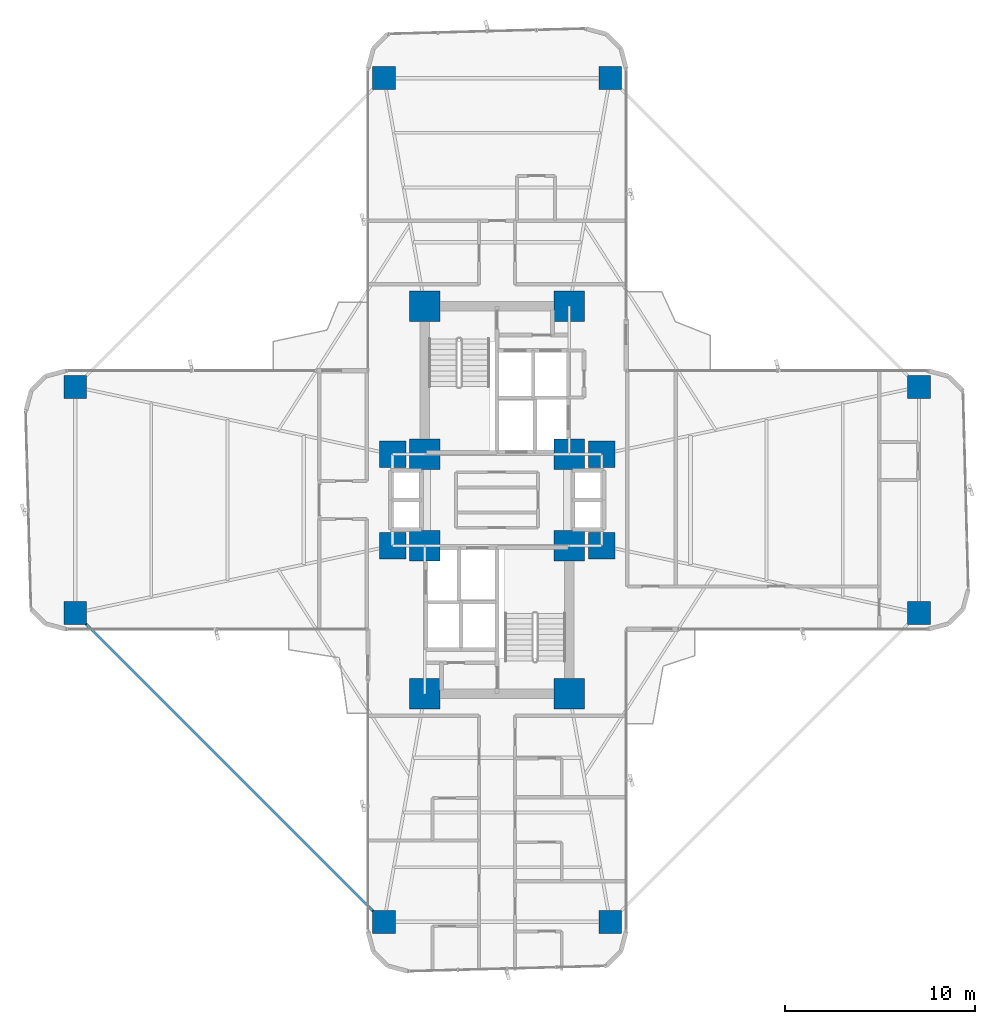
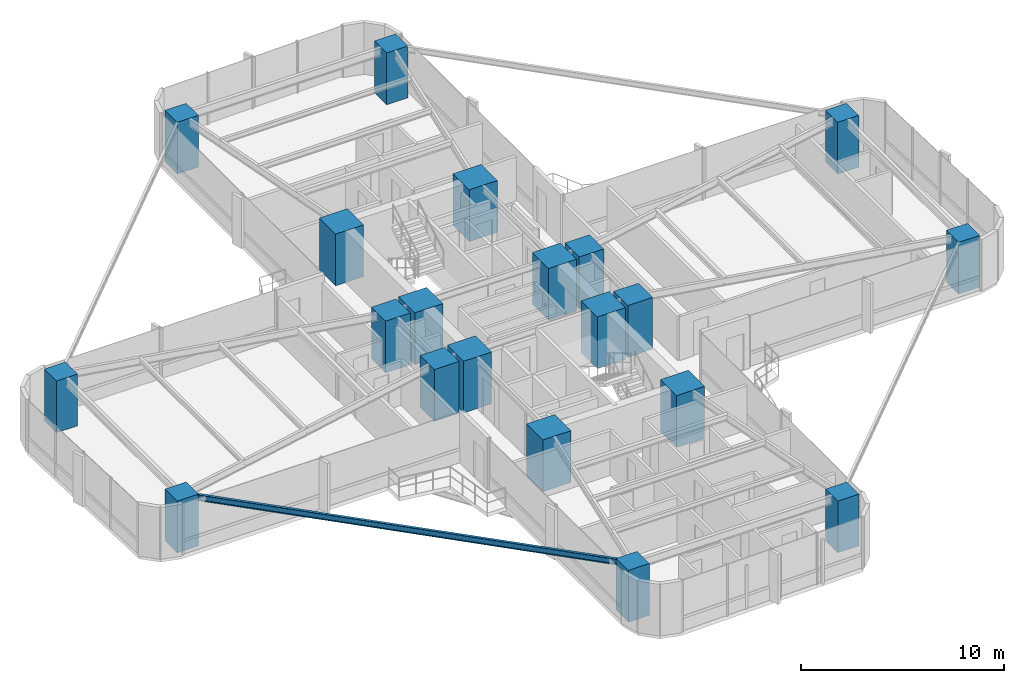
# One storey, part 1 of 25: 20 columns, 1 beam.
"""IFC4 building model written with IfcOpenShell, lengths in metres."""

from ifc_helpers import new_model, si_unit, direction, frame, origin, origin_2d, place, context, subcontext, project, spatial, rectangle, i_section, extrude, source, transform, mapped, material, material_profile, profile_set, type_object, element, save


model = new_model("IFC4")

# Units and contexts
model_context = context("Model", 3, precision=1e-05, world=origin(), true_north=direction((0.0, 1.0)))
body_context = subcontext(model_context, "Body", "Model", "MODEL_VIEW")
ifc_project = project(units=[si_unit("LENGTHUNIT", "METRE"), si_unit("AREAUNIT", "SQUARE_METRE"), si_unit("VOLUMEUNIT", "CUBIC_METRE"), si_unit("PLANEANGLEUNIT", "RADIAN"), si_unit("MASSUNIT", "GRAM", prefix="KILO")], contexts=[model_context])

# Site, building, storey
site_placement = place(None, origin())
site = spatial("IfcSite", under=ifc_project, at=site_placement, CompositionType="ELEMENT")
building_placement = place(site_placement, origin())
building = spatial("IfcBuilding", under=site, at=building_placement, Name="Sahyath Konkavel Grand Hotel", CompositionType="ELEMENT")
storey_placement = place(building_placement, frame((0.0, 0.0, 64.449951171875)))
storey = spatial("IfcBuildingStorey", under=building, at=storey_placement, Name="L17", CompositionType="ELEMENT", Elevation=64.449951171875)

# Columns
ifc_material_1 = material(Name="Concrete C70/85", Category="concrete")
ifc_material_profile_1 = material_profile(ifc_material_1, rectangle(XDim=1.60009765625, YDim=1.60009765625, at=origin_2d()), Name="RC 1600x1600")
ifc_profile_set_1 = profile_set([ifc_material_profile_1], Name="Concrete C70/85")
column_type_1 = type_object("IfcColumnType", Name="COL-RC1600", PredefinedType="COLUMN", material=ifc_profile_set_1)
shared_shape_1 = source(origin(), body_context, "Body", "SweptSolid", [
    extrude(rectangle(XDim=1.60009765625, YDim=1.60009765625, at=origin_2d()), origin(), (0.0, 0.0, 1.0), 3.110107421875),
])
for number, where, z_axis, x_axis, name in (
    (1, (-3.800048828125, 2.39990234375, 0.0), (0.0, 0.0, 1.0), (1.0, 0.0, 0.0), "L17 Core Boundary Column NC-SW"),
    (2, (3.800048828125, 2.39990234375, 0.0), (0.0, 0.0, 1.0), (1.0, 0.0, 0.0), "L17 Core Boundary Column NC-SE"),
    (3, (-3.800048828125, 10.199951171875, 0.0), (0.0, 0.0, 1.0), (1.0, 0.0, 0.0), "L17 Core Boundary Column NC-NW"),
    (4, (3.800048828125, 10.199951171875, 0.0), (0.0, 0.0, 1.0), (1.0, 0.0, 0.0), "L17 Core Boundary Column NC-NE"),
    (5, (-3.800048828125, -2.39990234375, 0.0), (0.0, 0.0, 1.0), (1.0, 0.0, 0.0), "L17 Core Boundary Column SC-NW"),
    (6, (3.800048828125, -2.39990234375, 0.0), (0.0, 0.0, 1.0), (1.0, 0.0, 0.0), "L17 Core Boundary Column SC-NE"),
    (7, (-3.800048828125, -10.199951171875, 0.0), (0.0, 0.0, 1.0), (1.0, 0.0, 0.0), "L17 Core Boundary Column SC-SW"),
    (8, (3.800048828125, -10.199951171875, 0.0), (0.0, 0.0, 1.0), (1.0, 0.0, 0.0), "L17 Core Boundary Column SC-SE"),
):
    element("IfcColumn", number, at=place(storey_placement, frame(where, z_axis=z_axis, x_axis=x_axis)), inside=storey, type_object=column_type_1, Name=name, PredefinedType="COLUMN", context=body_context, shape_type="MappedRepresentation", body=[
        mapped(shared_shape_1, transform((0.0, 0.0, 0.0), scale=1.0)),
    ])
ifc_material_profile_2 = material_profile(ifc_material_1, rectangle(XDim=1.39990234375, YDim=1.39990234375, at=origin_2d()), Name="RC 1400x1400")
ifc_profile_set_2 = profile_set([ifc_material_profile_2], Name="Concrete C70/85")
column_type_2 = type_object("IfcColumnType", Name="COL-RC1400", PredefinedType="COLUMN", material=ifc_profile_set_2)
shared_shape_2 = source(origin(), body_context, "Body", "SweptSolid", [
    extrude(rectangle(XDim=1.39990234375, YDim=1.39990234375, at=origin_2d()), origin(), (0.0, 0.0, 1.0), 3.110107421875),
])
for number, where, z_axis, x_axis, name in (
    (9, (5.5, 2.39990234375, 0.0), (0.0, 0.0, 1.0), (1.0, 0.0, 0.0), "L17 Central Spine Column HB-NE"),
    (10, (-5.5, 2.39990234375, 0.0), (0.0, 0.0, 1.0), (1.0, 0.0, 0.0), "L17 Central Spine Column HB-NW"),
    (11, (5.5, -2.39990234375, 0.0), (0.0, 0.0, 1.0), (1.0, 0.0, 0.0), "L17 Central Spine Column HB-SE"),
    (12, (-5.5, -2.39990234375, 0.0), (0.0, 0.0, 1.0), (1.0, 0.0, 0.0), "L17 Central Spine Column HB-SW"),
):
    element("IfcColumn", number, at=place(storey_placement, frame(where, z_axis=z_axis, x_axis=x_axis)), inside=storey, type_object=column_type_2, Name=name, PredefinedType="COLUMN", context=body_context, shape_type="MappedRepresentation", body=[
        mapped(shared_shape_2, transform((0.0, 0.0, 0.0), scale=1.0)),
    ])
ifc_material_2 = material(Name="Concrete C50/60", Category="concrete")
ifc_material_profile_3 = material_profile(ifc_material_2, rectangle(XDim=1.199951171875, YDim=1.199951171875, at=origin_2d()), Name="RC 1200x1200")
ifc_profile_set_3 = profile_set([ifc_material_profile_3], Name="Concrete C50/60")
column_type_3 = type_object("IfcColumnType", Name="COL-RC1200", PredefinedType="COLUMN", material=ifc_profile_set_3)
shared_shape_3 = source(origin(), body_context, "Body", "SweptSolid", [
    extrude(rectangle(XDim=1.199951171875, YDim=1.199951171875, at=origin_2d()), origin(), (0.0, 0.0, 1.0), 3.110107421875),
])
for number, where, z_axis, x_axis, name in (
    (13, (22.199951171875, -5.949951171875, 0.0), (0.0, 0.0, 1.0), (1.0, 0.0, 0.0), "L17 Cruciform Wing Column WC-EA"),
    (14, (22.199951171875, 5.949951171875, 0.0), (0.0, 0.0, 1.0), (1.0, 0.0, 0.0), "L17 Cruciform Wing Column WC-EB"),
    (15, (5.949951171875, 22.199951171875, 0.0), (0.0, 0.0, 1.0), (1.0, 0.0, 0.0), "L17 Cruciform Wing Column WC-NA"),
    (16, (-5.949951171875, 22.199951171875, 0.0), (0.0, 0.0, 1.0), (1.0, 0.0, 0.0), "L17 Cruciform Wing Column WC-NB"),
    (17, (-22.199951171875, 5.949951171875, 0.0), (0.0, 0.0, 1.0), (1.0, 0.0, 0.0), "L17 Cruciform Wing Column WC-WA"),
    (18, (-22.199951171875, -5.949951171875, 0.0), (0.0, 0.0, 1.0), (1.0, 0.0, 0.0), "L17 Cruciform Wing Column WC-WB"),
    (19, (-5.949951171875, -22.199951171875, 0.0), (0.0, 0.0, 1.0), (1.0, 0.0, 0.0), "L17 Cruciform Wing Column WC-SA"),
    (20, (5.949951171875, -22.199951171875, 0.0), (0.0, 0.0, 1.0), (1.0, 0.0, 0.0), "L17 Cruciform Wing Column WC-SB"),
):
    element("IfcColumn", number, at=place(storey_placement, frame(where, z_axis=z_axis, x_axis=x_axis)), inside=storey, type_object=column_type_3, Name=name, PredefinedType="COLUMN", context=body_context, shape_type="MappedRepresentation", body=[
        mapped(shared_shape_3, transform((0.0, 0.0, 0.0), scale=1.0)),
    ])

# Beam
ifc_material_3 = material(Name="Steel E350", Category="steel")
ifc_material_profile_4 = material_profile(ifc_material_3, i_section(OverallWidth=0.139892578125, OverallDepth=0.35009765625, WebThickness=0.008056640625, FlangeThickness=0.01416015625, FilletRadius=0.013916015625, at=origin_2d()), Name="ISMB 350")
ifc_profile_set_4 = profile_set([ifc_material_profile_4], Name="Steel E350")
beam_type = type_object("IfcBeamType", Name="BM-ISMB350", PredefinedType="BEAM", material=ifc_profile_set_4)
shared_shape_4 = source(origin(), body_context, "Body", "SweptSolid", [
    extrude(i_section(OverallWidth=0.139892578125, OverallDepth=0.35009765625, WebThickness=0.008056640625, FlangeThickness=0.01416015625, FilletRadius=0.013916015625, at=origin_2d()), origin(), (0.0, 0.0, 1.0), 22.98095703125),
])
beam_placement = place(storey_placement, frame((-22.199951171875, -5.949951171875, 2.93505859375), z_axis=(0.707106781187, -0.707106781187, 0.0), x_axis=(0.707106781187, 0.707106781187, 0.0)))
element("IfcBeam", 21, at=beam_placement, inside=storey, type_object=beam_type, Name="L17 Re-Entrant Tie Beam SW", PredefinedType="BEAM", context=body_context, shape_type="MappedRepresentation", body=[
    mapped(shared_shape_4, transform((0.0, 0.0, 0.0), scale=1.0)),
])

save(model, "model.ifc")
